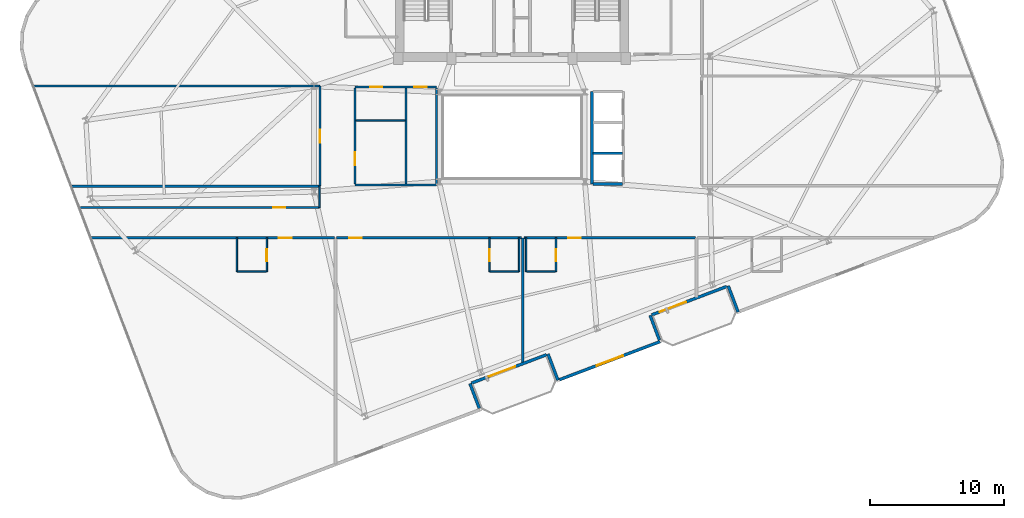
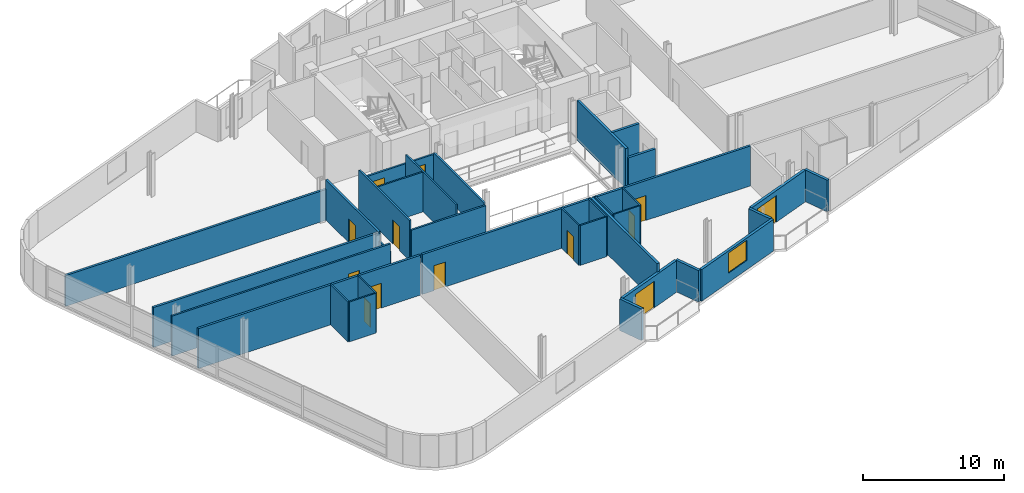
# One storey, part 14 of 19: 34 walls, 13 doors, 1 window, 14 openings.
"""IFC4 building model written with IfcOpenShell, lengths in metres."""

from ifc_helpers import new_model, si_unit, direction, frame, frame_2d, origin, place, context, subcontext, project, spatial, rectangle, extrude, material, layer, layer_set, type_object, element, fill, save


model = new_model("IFC4")

# Units and contexts
model_context = context("Model", 3, precision=1e-05, world=origin(), true_north=direction((0.0, 1.0)))
body_context = subcontext(model_context, "Body", "Model", "MODEL_VIEW")
ifc_project = project(units=[si_unit("LENGTHUNIT", "METRE"), si_unit("AREAUNIT", "SQUARE_METRE"), si_unit("VOLUMEUNIT", "CUBIC_METRE"), si_unit("PLANEANGLEUNIT", "RADIAN"), si_unit("MASSUNIT", "GRAM", prefix="KILO")], contexts=[model_context])

# Site, building, storey
site_placement = place(None, origin())
site = spatial("IfcSite", under=ifc_project, at=site_placement, CompositionType="ELEMENT")
building_placement = place(site_placement, origin())
building = spatial("IfcBuilding", under=site, at=building_placement, Name="Varnelok Gate Tower", CompositionType="ELEMENT")
storey_placement = place(building_placement, frame((0.0, 0.0, 246.0)))
storey = spatial("IfcBuildingStorey", under=building, at=storey_placement, Name="L63", CompositionType="ELEMENT", Elevation=246.0)

# Wall, opening, door
ifc_material_1 = material(Name="Concrete C45/55", Category="concrete")
ifc_layer_1 = layer(ifc_material_1, 0.219970703125)
ifc_layer_set_1 = layer_set([ifc_layer_1], Name="Concrete C45/55")
wall_type_1 = type_object("IfcWallType", Name="EW-BALC-220", PredefinedType="SOLIDWALL", material=ifc_layer_set_1)
wall_1_placement = place(storey_placement, frame((41.783203125, 6.6142578125, 0.0), z_axis=(0.0, 0.0, 1.0), x_axis=(-0.93521416643, -0.354082565101, 0.0)))
wall_1 = element("IfcWall", 1, at=wall_1_placement, inside=storey, type_object=wall_type_1, Name="L63 South Terrace Envelope Wall 1", PredefinedType="SOLIDWALL", context=body_context, shape_type="SweptSolid", body=[
    extrude(rectangle(XDim=6.0, YDim=0.219970703125, at=frame_2d((3.0, 0.0))), origin(), (0.0, 0.0, 1.0), 2.72998046875),
])
opening_1_placement = place(wall_1_placement, frame((2.508056640625, 0.0, 0.0)))
opening_1 = element("IfcOpeningElement", 2, at=opening_1_placement, cuts=wall_1, Name="Opening BD-2", PredefinedType="OPENING", context=body_context, shape_type="SweptSolid", body=[
    extrude(rectangle(XDim=2.10009765625, YDim=2.300048828125, at=frame_2d((1.050048828125, 1.14990234375))), frame((0.0, 0.119873046875, 0.0), z_axis=(0.0, -1.0, 0.0), x_axis=(1.0, 0.0, 0.0)), (0.0, 0.0, 1.0), 0.239990234375),
])
ifc_material_2 = material(Name="Anodized Aluminum Alloy 6063-T6", Category="aluminium")
door_type_1 = type_object("IfcDoorType", Name="DR-EXT-SLID2100", OperationType="SLIDING_TO_LEFT", PredefinedType="DOOR", material=ifc_material_2)
door_1_placement = place(opening_1_placement, origin())
door_1 = element("IfcDoor", 3, at=door_1_placement, inside=storey, type_object=door_type_1, Name="L63 South Balcony Glazed Door 1", OperationType="SLIDING_TO_LEFT", OverallHeight=2.300048828125, OverallWidth=2.10009765625, PredefinedType="DOOR", context=body_context, shape_type="SweptSolid", body=[
    extrude(rectangle(XDim=2.10009765625, YDim=2.300048828125, at=frame_2d((1.050048828125, 1.14990234375))), frame((0.0, 0.02490234375, 0.0), z_axis=(0.0, -1.0, 0.0), x_axis=(1.0, 0.0, 0.0)), (0.0, 0.0, 1.0), 0.050048828125),
])
fill(opening_1, door_1)

wall_2_placement = place(storey_placement, frame((55.25048828125, 11.712646484375, 0.0), z_axis=(0.0, 0.0, 1.0), x_axis=(-0.935227640088, -0.354046976001, 0.0)))
wall_2 = element("IfcWall", 4, at=wall_2_placement, inside=storey, type_object=wall_type_1, Name="L63 South Terrace Envelope Wall 2", PredefinedType="SOLIDWALL", context=body_context, shape_type="SweptSolid", body=[
    extrude(rectangle(XDim=6.0, YDim=0.219970703125, at=frame_2d((3.0, 0.0))), origin(), (0.0, 0.0, 1.0), 2.72998046875),
])
opening_2_placement = place(wall_2_placement, frame((3.252197265625, 0.0, 0.0)))
opening_2 = element("IfcOpeningElement", 5, at=opening_2_placement, cuts=wall_2, Name="Opening BD-2", PredefinedType="OPENING", context=body_context, shape_type="SweptSolid", body=[
    extrude(rectangle(XDim=2.10009765625, YDim=2.300048828125, at=frame_2d((1.050048828125, 1.14990234375))), frame((0.0, 0.119873046875, 0.0), z_axis=(0.0, -1.0, 0.0), x_axis=(1.0, 0.0, 0.0)), (0.0, 0.0, 1.0), 0.239990234375),
])
door_2_placement = place(opening_2_placement, origin())
door_2 = element("IfcDoor", 6, at=door_2_placement, inside=storey, type_object=door_type_1, Name="L63 South Balcony Glazed Door 2", OperationType="SLIDING_TO_LEFT", OverallHeight=2.300048828125, OverallWidth=2.10009765625, PredefinedType="DOOR", context=body_context, shape_type="SweptSolid", body=[
    extrude(rectangle(XDim=2.10009765625, YDim=2.300048828125, at=frame_2d((1.050048828125, 1.14990234375))), frame((0.0, 0.02490234375, 0.0), z_axis=(0.0, -1.0, 0.0), x_axis=(1.0, 0.0, 0.0)), (0.0, 0.0, 1.0), 0.050048828125),
])
fill(opening_2, door_2)

# Walls
wall_3_placement = place(storey_placement, frame((36.75537109375, 2.609619140625, 0.0), z_axis=(0.0, 0.0, 1.0), x_axis=(-0.354020680661, 0.935237594232, 0.0)))
element("IfcWall", 7, at=wall_3_placement, inside=storey, type_object=wall_type_1, Name="L63 Perimeter Facade Closure Wall 8", PredefinedType="SOLIDWALL", context=body_context, shape_type="SweptSolid", body=[
    extrude(rectangle(XDim=1.97509765625, YDim=0.219970703125, at=frame_2d((0.987548828125, 0.0))), origin(), (0.0, 0.0, 1.0), 2.72998046875),
])
wall_4_placement = place(storey_placement, frame((41.891845703125, 6.666015625, 0.0), z_axis=(0.0, 0.0, 1.0), x_axis=(0.354128469405, -0.935196785258, 0.0)))
element("IfcWall", 8, at=wall_4_placement, inside=storey, type_object=wall_type_1, Name="L63 Perimeter Facade Closure Wall 9", PredefinedType="SOLIDWALL", context=body_context, shape_type="SweptSolid", body=[
    extrude(rectangle(XDim=2.099853515625, YDim=0.219970703125, at=frame_2d((1.0498046875, 0.0))), origin(), (0.0, 0.0, 1.0), 2.72998046875),
])

# Wall, opening, window
wall_5_placement = place(storey_placement, frame((42.75244140625, 4.746337890625, 0.0), z_axis=(0.0, 0.0, 1.0), x_axis=(0.935216926991, 0.354075273733, 0.0)))
wall_5 = element("IfcWall", 9, at=wall_5_placement, inside=storey, type_object=wall_type_1, Name="L63 Perimeter Facade Closure Wall 10", PredefinedType="SOLIDWALL", context=body_context, shape_type="SweptSolid", body=[
    extrude(rectangle(XDim=8.034912109375, YDim=0.219970703125, at=frame_2d((4.017578125, 0.0))), origin(), (0.0, 0.0, 1.0), 2.72998046875),
])
opening_3_placement = place(wall_5_placement, frame((2.967529296875, 0.0, 0.800048828125)))
opening_3 = element("IfcOpeningElement", 10, at=opening_3_placement, cuts=wall_5, Name="Opening WN4", PredefinedType="OPENING", context=body_context, shape_type="SweptSolid", body=[
    extrude(rectangle(XDim=2.10009765625, YDim=1.75, at=frame_2d((1.050048828125, 0.875))), frame((0.0, 0.119873046875, 0.0), z_axis=(0.0, -1.0, 0.0), x_axis=(1.0, 0.0, 0.0)), (0.0, 0.0, 1.0), 0.239990234375),
])
ifc_material_3 = material(Name="Low-E Laminated Double Glazing IGU", Category="glass")
window_type = type_object("IfcWindowType", Name="WN-SUI-2100", PartitioningType="SINGLE_PANEL", PredefinedType="WINDOW", material=ifc_material_3)
window_placement = place(opening_3_placement, origin())
window = element("IfcWindow", 11, at=window_placement, inside=storey, type_object=window_type, Name="L63 Perimeter Vision Window 10", OverallHeight=1.75, OverallWidth=2.10009765625, PartitioningType="SINGLE_PANEL", PredefinedType="WINDOW", context=body_context, shape_type="SweptSolid", body=[
    extrude(rectangle(XDim=2.10009765625, YDim=1.75, at=frame_2d((1.050048828125, 0.875))), frame((0.0, 0.030029296875, 0.0), z_axis=(0.0, -1.0, 0.0), x_axis=(1.0, 0.0, 0.0)), (0.0, 0.0, 1.0), 0.06005859375),
])
fill(opening_3, window)

# Walls
wall_6_placement = place(storey_placement, frame((50.22265625, 7.7080078125, 0.0), z_axis=(0.0, 0.0, 1.0), x_axis=(-0.354020680661, 0.935237594232, 0.0)))
element("IfcWall", 12, at=wall_6_placement, inside=storey, type_object=wall_type_1, Name="L63 Perimeter Facade Closure Wall 11", PredefinedType="SOLIDWALL", context=body_context, shape_type="SweptSolid", body=[
    extrude(rectangle(XDim=1.97509765625, YDim=0.219970703125, at=frame_2d((0.987548828125, 0.0))), origin(), (0.0, 0.0, 1.0), 2.72998046875),
])
wall_7_placement = place(storey_placement, frame((55.359130859375, 11.764404296875, 0.0), z_axis=(0.0, 0.0, 1.0), x_axis=(0.354026782794, -0.935235284334, 0.0)))
element("IfcWall", 13, at=wall_7_placement, inside=storey, type_object=wall_type_1, Name="L63 Perimeter Facade Closure Wall 12", PredefinedType="SOLIDWALL", context=body_context, shape_type="SweptSolid", body=[
    extrude(rectangle(XDim=2.099853515625, YDim=0.219970703125, at=frame_2d((1.0498046875, 0.0))), origin(), (0.0, 0.0, 1.0), 2.72998046875),
])

# Wall, opening, door
ifc_material_4 = material(Name="Gypsum Plasterboard Acoustic Partition", Category="gypsum")
ifc_layer_2 = layer(ifc_material_4, 0.179931640625)
ifc_layer_set_2 = layer_set([ifc_layer_2], Name="Gypsum Plasterboard Acoustic Partition")
wall_type_2 = type_object("IfcWallType", Name="PW-CORR-180", PredefinedType="PARTITIONING", material=ifc_layer_set_2)
wall_8_placement = place(storey_placement, frame((7.763916015625, 15.35009765625, 0.0), z_axis=(0.0, 0.0, 1.0), x_axis=(1.0, 0.0, 0.0)))
wall_8 = element("IfcWall", 14, at=wall_8_placement, inside=storey, type_object=wall_type_2, Name="Interior Partition", PredefinedType="PARTITIONING", context=body_context, shape_type="SweptSolid", body=[
    extrude(rectangle(XDim=18.156005859375, YDim=0.179931640625, at=frame_2d((9.078125, 0.0))), origin(), (0.0, 0.0, 1.0), 3.449951171875),
])
opening_4_placement = place(wall_8_placement, frame((14.007080078125, 0.0, 0.0)))
opening_4 = element("IfcOpeningElement", 15, at=opening_4_placement, cuts=wall_8, Name="Opening D-HT", PredefinedType="OPENING", context=body_context, shape_type="SweptSolid", body=[
    extrude(rectangle(XDim=0.949951171875, YDim=2.14990234375, at=frame_2d((0.47509765625, 1.074951171875))), frame((0.0, 0.099853515625, 0.0), z_axis=(0.0, -1.0, 0.0), x_axis=(1.0, 0.0, 0.0)), (0.0, 0.0, 1.0), 0.199951171875),
])
ifc_material_5 = material(Name="Engineered Hardwood Timber", Category="wood")
door_type_2 = type_object("IfcDoorType", Name="DR-HTL-950", OperationType="NOTDEFINED", PredefinedType="DOOR", material=ifc_material_5)
door_3_placement = place(opening_4_placement, origin())
door_3 = element("IfcDoor", 16, at=door_3_placement, inside=storey, type_object=door_type_2, Name="L63 Guest Room 01 Entrance Door", OperationType="SINGLE_SWING_RIGHT", OverallHeight=2.14990234375, OverallWidth=0.949951171875, PredefinedType="DOOR", context=body_context, shape_type="SweptSolid", body=[
    extrude(rectangle(XDim=0.949951171875, YDim=2.14990234375, at=frame_2d((0.47509765625, 1.074951171875))), frame((0.0, 0.02490234375, 0.0), z_axis=(0.0, -1.0, 0.0), x_axis=(1.0, 0.0, 0.0)), (0.0, 0.0, 1.0), 0.050048828125),
])
fill(opening_4, door_3)

wall_9_placement = place(storey_placement, frame((26.080078125, 15.35009765625, 0.0), z_axis=(0.0, 0.0, 1.0), x_axis=(1.0, 0.0, 0.0)))
wall_9 = element("IfcWall", 17, at=wall_9_placement, inside=storey, type_object=wall_type_2, Name="Interior Partition", PredefinedType="PARTITIONING", context=body_context, shape_type="SweptSolid", body=[
    extrude(rectangle(XDim=13.83984375, YDim=0.179931640625, at=frame_2d((6.919921875, 0.0))), origin(), (0.0, 0.0, 1.0), 3.449951171875),
])
opening_5_placement = place(wall_9_placement, frame((0.938720703125, 0.0, 0.0)))
opening_5 = element("IfcOpeningElement", 18, at=opening_5_placement, cuts=wall_9, Name="Opening D-HT", PredefinedType="OPENING", context=body_context, shape_type="SweptSolid", body=[
    extrude(rectangle(XDim=0.949951171875, YDim=2.14990234375, at=frame_2d((0.47509765625, 1.074951171875))), frame((0.0, 0.099853515625, 0.0), z_axis=(0.0, -1.0, 0.0), x_axis=(1.0, 0.0, 0.0)), (0.0, 0.0, 1.0), 0.199951171875),
])
door_4_placement = place(opening_5_placement, origin())
door_4 = element("IfcDoor", 19, at=door_4_placement, inside=storey, type_object=door_type_2, Name="L63 Guest Room 02 Entrance Door", OperationType="SINGLE_SWING_LEFT", OverallHeight=2.14990234375, OverallWidth=0.949951171875, PredefinedType="DOOR", context=body_context, shape_type="SweptSolid", body=[
    extrude(rectangle(XDim=0.949951171875, YDim=2.14990234375, at=frame_2d((0.47509765625, 1.074951171875))), frame((0.0, 0.02490234375, 0.0), z_axis=(0.0, -1.0, 0.0), x_axis=(1.0, 0.0, 0.0)), (0.0, 0.0, 1.0), 0.050048828125),
])
fill(opening_5, door_4)

wall_10_placement = place(storey_placement, frame((40.080078125, 15.35009765625, 0.0), z_axis=(0.0, 0.0, 1.0), x_axis=(1.0, 0.0, 0.0)))
wall_10 = element("IfcWall", 20, at=wall_10_placement, inside=storey, type_object=wall_type_2, Name="Interior Partition", PredefinedType="PARTITIONING", context=body_context, shape_type="SweptSolid", body=[
    extrude(rectangle(XDim=12.83984375, YDim=0.179931640625, at=frame_2d((6.419921875, 0.0))), origin(), (0.0, 0.0, 1.0), 3.449951171875),
])
opening_6_placement = place(wall_10_placement, frame((3.320556640625, 0.0, 0.0)))
opening_6 = element("IfcOpeningElement", 21, at=opening_6_placement, cuts=wall_10, Name="Opening D-HT", PredefinedType="OPENING", context=body_context, shape_type="SweptSolid", body=[
    extrude(rectangle(XDim=0.949951171875, YDim=2.14990234375, at=frame_2d((0.47509765625, 1.074951171875))), frame((0.0, 0.099853515625, 0.0), z_axis=(0.0, -1.0, 0.0), x_axis=(1.0, 0.0, 0.0)), (0.0, 0.0, 1.0), 0.199951171875),
])
door_5_placement = place(opening_6_placement, origin())
door_5 = element("IfcDoor", 22, at=door_5_placement, inside=storey, type_object=door_type_2, Name="L63 Guest Room 03 Entrance Door", OperationType="SINGLE_SWING_RIGHT", OverallHeight=2.14990234375, OverallWidth=0.949951171875, PredefinedType="DOOR", context=body_context, shape_type="SweptSolid", body=[
    extrude(rectangle(XDim=0.949951171875, YDim=2.14990234375, at=frame_2d((0.47509765625, 1.074951171875))), frame((0.0, 0.02490234375, 0.0), z_axis=(0.0, -1.0, 0.0), x_axis=(1.0, 0.0, 0.0)), (0.0, 0.0, 1.0), 0.050048828125),
])
fill(opening_6, door_5)

wall_11_placement = place(storey_placement, frame((24.85009765625, 19.239990234375, 0.0), z_axis=(0.0, 0.0, 1.0), x_axis=(0.0, 1.0, 0.0)))
wall_11 = element("IfcWall", 23, at=wall_11_placement, inside=storey, type_object=wall_type_2, Name="Interior Partition", PredefinedType="PARTITIONING", context=body_context, shape_type="SweptSolid", body=[
    extrude(rectangle(XDim=7.4599609375, YDim=0.179931640625, at=frame_2d((3.72998046875, 0.0))), origin(), (0.0, 0.0, 1.0), 3.449951171875),
])
opening_7_placement = place(wall_11_placement, frame((3.235107421875, 0.0, 0.0)))
opening_7 = element("IfcOpeningElement", 24, at=opening_7_placement, cuts=wall_11, Name="Opening D-I2", PredefinedType="OPENING", context=body_context, shape_type="SweptSolid", body=[
    extrude(rectangle(XDim=0.949951171875, YDim=2.050048828125, at=frame_2d((0.47509765625, 1.02490234375))), frame((0.0, 0.099853515625, 0.0), z_axis=(0.0, -1.0, 0.0), x_axis=(1.0, 0.0, 0.0)), (0.0, 0.0, 1.0), 0.199951171875),
])
door_type_3 = type_object("IfcDoorType", Name="DR-INT-950", OperationType="NOTDEFINED", PredefinedType="DOOR", material=ifc_material_5)
door_6_placement = place(opening_7_placement, origin())
door_6 = element("IfcDoor", 25, at=door_6_placement, inside=storey, type_object=door_type_3, Name="L63 West Flank Room Door", OperationType="SINGLE_SWING_LEFT", OverallHeight=2.050048828125, OverallWidth=0.949951171875, PredefinedType="DOOR", context=body_context, shape_type="SweptSolid", body=[
    extrude(rectangle(XDim=0.949951171875, YDim=2.050048828125, at=frame_2d((0.47509765625, 1.02490234375))), frame((0.0, 0.02490234375, 0.0), z_axis=(0.0, -1.0, 0.0), x_axis=(1.0, 0.0, 0.0)), (0.0, 0.0, 1.0), 0.050048828125),
])
fill(opening_7, door_6)

# Walls
wall_12_placement = place(storey_placement, frame((6.306396484375, 19.199951171875, 0.0), z_axis=(0.0, 0.0, 1.0), x_axis=(1.0, 0.0, 0.0)))
element("IfcWall", 26, at=wall_12_placement, inside=storey, type_object=wall_type_2, Name="Interior Partition", PredefinedType="PARTITIONING", context=body_context, shape_type="SweptSolid", body=[
    extrude(rectangle(XDim=18.543701171875, YDim=0.179931640625, at=frame_2d((9.27197265625, 0.0))), origin(), (0.0, 0.0, 1.0), 3.449951171875),
])
wall_13_placement = place(storey_placement, frame((3.467041015625, 26.699951171875, 0.0), z_axis=(0.0, 0.0, 1.0), x_axis=(1.0, 0.0, 0.0)))
element("IfcWall", 27, at=wall_13_placement, inside=storey, type_object=wall_type_2, Name="Interior Partition", PredefinedType="PARTITIONING", context=body_context, shape_type="SweptSolid", body=[
    extrude(rectangle(XDim=21.383056640625, YDim=0.179931640625, at=frame_2d((10.69140625, 0.0))), origin(), (0.0, 0.0, 1.0), 2.662109375),
])
ifc_layer_3 = layer(ifc_material_4, 0.114990234375)
ifc_layer_set_3 = layer_set([ifc_layer_3], Name="Gypsum Plasterboard Acoustic Partition")
wall_type_3 = type_object("IfcWallType", Name="PW-ENS-125", PredefinedType="PARTITIONING", material=ifc_layer_set_3)
wall_14_placement = place(storey_placement, frame((18.679931640625, 12.830078125, 0.0), z_axis=(0.0, 0.0, 1.0), x_axis=(1.0, 0.0, 0.0)))
element("IfcWall", 28, at=wall_14_placement, inside=storey, type_object=wall_type_3, Name="Interior Partition", PredefinedType="PARTITIONING", context=body_context, shape_type="SweptSolid", body=[
    extrude(rectangle(XDim=2.150146484375, YDim=0.114990234375, at=frame_2d((1.0751953125, 0.0))), origin(), (0.0, 0.0, 1.0), 3.449951171875),
])

# Wall, opening, door
wall_15_placement = place(storey_placement, frame((20.8701171875, 12.830078125, 0.0), z_axis=(0.0, 0.0, 1.0), x_axis=(0.0, 1.0, 0.0)))
wall_15 = element("IfcWall", 29, at=wall_15_placement, inside=storey, type_object=wall_type_3, Name="Interior Partition", PredefinedType="PARTITIONING", context=body_context, shape_type="SweptSolid", body=[
    extrude(rectangle(XDim=2.52001953125, YDim=0.114990234375, at=frame_2d((1.260009765625, 0.0))), origin(), (0.0, 0.0, 1.0), 3.449951171875),
])
opening_8_placement = place(wall_15_placement, frame((0.760009765625, 0.0, 0.0)))
opening_8 = element("IfcOpeningElement", 30, at=opening_8_placement, cuts=wall_15, Name="Opening D-WC", PredefinedType="OPENING", context=body_context, shape_type="SweptSolid", body=[
    extrude(rectangle(XDim=0.89990234375, YDim=2.050048828125, at=frame_2d((0.449951171875, 1.02490234375))), frame((0.0, 0.0673828125, 0.0), z_axis=(0.0, -1.0, 0.0), x_axis=(1.0, 0.0, 0.0)), (0.0, 0.0, 1.0), 0.135009765625),
])
door_type_4 = type_object("IfcDoorType", Name="DR-BATH-900", OperationType="NOTDEFINED", PredefinedType="DOOR", material=ifc_material_5)
door_7_placement = place(opening_8_placement, origin())
door_7 = element("IfcDoor", 31, at=door_7_placement, inside=storey, type_object=door_type_4, Name="L63 Guest En-Suite 01 Door", OperationType="SINGLE_SWING_LEFT", OverallHeight=2.050048828125, OverallWidth=0.89990234375, PredefinedType="DOOR", context=body_context, shape_type="SweptSolid", body=[
    extrude(rectangle(XDim=0.89990234375, YDim=2.050048828125, at=frame_2d((0.449951171875, 1.02490234375))), frame((0.0, 0.02490234375, 0.0), z_axis=(0.0, -1.0, 0.0), x_axis=(1.0, 0.0, 0.0)), (0.0, 0.0, 1.0), 0.050048828125),
])
fill(opening_8, door_7)

# Walls
wall_16_placement = place(storey_placement, frame((18.639892578125, 12.830078125, 0.0), z_axis=(0.0, 0.0, 1.0), x_axis=(0.0, 1.0, 0.0)))
element("IfcWall", 32, at=wall_16_placement, inside=storey, type_object=wall_type_3, Name="Interior Partition", PredefinedType="PARTITIONING", context=body_context, shape_type="SweptSolid", body=[
    extrude(rectangle(XDim=2.52001953125, YDim=0.114990234375, at=frame_2d((1.260009765625, 0.0))), origin(), (0.0, 0.0, 1.0), 3.449951171875),
])
wall_17_placement = place(storey_placement, frame((37.550048828125, 12.830078125, 0.0), z_axis=(0.0, 0.0, 1.0), x_axis=(1.0, 0.0, 0.0)))
element("IfcWall", 33, at=wall_17_placement, inside=storey, type_object=wall_type_3, Name="Interior Partition", PredefinedType="PARTITIONING", context=body_context, shape_type="SweptSolid", body=[
    extrude(rectangle(XDim=2.14990234375, YDim=0.114990234375, at=frame_2d((1.074951171875, 0.0))), origin(), (0.0, 0.0, 1.0), 3.449951171875),
])

# Wall, opening, door
wall_18_placement = place(storey_placement, frame((37.510009765625, 12.830078125, 0.0), z_axis=(0.0, 0.0, 1.0), x_axis=(0.0, 1.0, 0.0)))
wall_18 = element("IfcWall", 34, at=wall_18_placement, inside=storey, type_object=wall_type_3, Name="Interior Partition", PredefinedType="PARTITIONING", context=body_context, shape_type="SweptSolid", body=[
    extrude(rectangle(XDim=2.52001953125, YDim=0.114990234375, at=frame_2d((1.260009765625, 0.0))), origin(), (0.0, 0.0, 1.0), 3.449951171875),
])
opening_9_placement = place(wall_18_placement, frame((0.760009765625, 0.0, 0.0)))
opening_9 = element("IfcOpeningElement", 35, at=opening_9_placement, cuts=wall_18, Name="Opening D-WC", PredefinedType="OPENING", context=body_context, shape_type="SweptSolid", body=[
    extrude(rectangle(XDim=0.89990234375, YDim=2.050048828125, at=frame_2d((0.449951171875, 1.02490234375))), frame((0.0, 0.0673828125, 0.0), z_axis=(0.0, -1.0, 0.0), x_axis=(1.0, 0.0, 0.0)), (0.0, 0.0, 1.0), 0.135009765625),
])
door_8_placement = place(opening_9_placement, origin())
door_8 = element("IfcDoor", 36, at=door_8_placement, inside=storey, type_object=door_type_4, Name="L63 Guest En-Suite 02 Door", OperationType="SINGLE_SWING_RIGHT", OverallHeight=2.050048828125, OverallWidth=0.89990234375, PredefinedType="DOOR", context=body_context, shape_type="SweptSolid", body=[
    extrude(rectangle(XDim=0.89990234375, YDim=2.050048828125, at=frame_2d((0.449951171875, 1.02490234375))), frame((0.0, 0.02490234375, 0.0), z_axis=(0.0, -1.0, 0.0), x_axis=(1.0, 0.0, 0.0)), (0.0, 0.0, 1.0), 0.050048828125),
])
fill(opening_9, door_8)

# Walls
wall_19_placement = place(storey_placement, frame((39.739990234375, 12.830078125, 0.0), z_axis=(0.0, 0.0, 1.0), x_axis=(0.0, 1.0, 0.0)))
element("IfcWall", 37, at=wall_19_placement, inside=storey, type_object=wall_type_3, Name="Interior Partition", PredefinedType="PARTITIONING", context=body_context, shape_type="SweptSolid", body=[
    extrude(rectangle(XDim=2.52001953125, YDim=0.114990234375, at=frame_2d((1.260009765625, 0.0))), origin(), (0.0, 0.0, 1.0), 3.449951171875),
])
wall_20_placement = place(storey_placement, frame((40.300048828125, 12.830078125, 0.0), z_axis=(0.0, 0.0, 1.0), x_axis=(1.0, 0.0, 0.0)))
element("IfcWall", 38, at=wall_20_placement, inside=storey, type_object=wall_type_3, Name="Interior Partition", PredefinedType="PARTITIONING", context=body_context, shape_type="SweptSolid", body=[
    extrude(rectangle(XDim=2.14990234375, YDim=0.114990234375, at=frame_2d((1.074951171875, 0.0))), origin(), (0.0, 0.0, 1.0), 3.449951171875),
])

# Wall, opening, door
wall_21_placement = place(storey_placement, frame((42.489990234375, 12.830078125, 0.0), z_axis=(0.0, 0.0, 1.0), x_axis=(0.0, 1.0, 0.0)))
wall_21 = element("IfcWall", 39, at=wall_21_placement, inside=storey, type_object=wall_type_3, Name="Interior Partition", PredefinedType="PARTITIONING", context=body_context, shape_type="SweptSolid", body=[
    extrude(rectangle(XDim=2.52001953125, YDim=0.114990234375, at=frame_2d((1.260009765625, 0.0))), origin(), (0.0, 0.0, 1.0), 3.449951171875),
])
opening_10_placement = place(wall_21_placement, frame((0.760009765625, 0.0, 0.0)))
opening_10 = element("IfcOpeningElement", 40, at=opening_10_placement, cuts=wall_21, Name="Opening D-WC", PredefinedType="OPENING", context=body_context, shape_type="SweptSolid", body=[
    extrude(rectangle(XDim=0.89990234375, YDim=2.050048828125, at=frame_2d((0.449951171875, 1.02490234375))), frame((0.0, 0.0673828125, 0.0), z_axis=(0.0, -1.0, 0.0), x_axis=(1.0, 0.0, 0.0)), (0.0, 0.0, 1.0), 0.135009765625),
])
door_9_placement = place(opening_10_placement, origin())
door_9 = element("IfcDoor", 41, at=door_9_placement, inside=storey, type_object=door_type_4, Name="L63 Guest En-Suite 03 Door", OperationType="SINGLE_SWING_LEFT", OverallHeight=2.050048828125, OverallWidth=0.89990234375, PredefinedType="DOOR", context=body_context, shape_type="SweptSolid", body=[
    extrude(rectangle(XDim=0.89990234375, YDim=2.050048828125, at=frame_2d((0.449951171875, 1.02490234375))), frame((0.0, 0.02490234375, 0.0), z_axis=(0.0, -1.0, 0.0), x_axis=(1.0, 0.0, 0.0)), (0.0, 0.0, 1.0), 0.050048828125),
])
fill(opening_10, door_9)

# Walls
wall_22_placement = place(storey_placement, frame((40.260009765625, 12.830078125, 0.0), z_axis=(0.0, 0.0, 1.0), x_axis=(0.0, 1.0, 0.0)))
element("IfcWall", 42, at=wall_22_placement, inside=storey, type_object=wall_type_3, Name="Interior Partition", PredefinedType="PARTITIONING", context=body_context, shape_type="SweptSolid", body=[
    extrude(rectangle(XDim=2.52001953125, YDim=0.114990234375, at=frame_2d((1.260009765625, 0.0))), origin(), (0.0, 0.0, 1.0), 3.449951171875),
])
ifc_layer_4 = layer(ifc_material_4, 0.125)
ifc_layer_set_4 = layer_set([ifc_layer_4], Name="Gypsum Plasterboard Acoustic Partition")
wall_type_4 = type_object("IfcWallType", Name="PW-PART-125", PredefinedType="PARTITIONING", material=ifc_layer_set_4)
wall_23_placement = place(storey_placement, frame((24.800048828125, 17.610107421875, 0.0), z_axis=(0.0, 0.0, 1.0), x_axis=(0.0, 1.0, 0.0)))
element("IfcWall", 43, at=wall_23_placement, inside=storey, type_object=wall_type_4, Name="Interior Partition", PredefinedType="PARTITIONING", context=body_context, shape_type="SweptSolid", body=[
    extrude(rectangle(XDim=1.6298828125, YDim=0.125, at=frame_2d((0.81494140625, 0.0))), origin(), (0.0, 0.0, 1.0), 2.739013671875),
])
wall_24_placement = place(storey_placement, frame((31.280029296875, 19.3798828125, 0.0), z_axis=(0.0, 0.0, 1.0), x_axis=(0.0, 1.0, 0.0)))
element("IfcWall", 44, at=wall_24_placement, inside=storey, type_object=wall_type_4, Name="Interior Partition", PredefinedType="PARTITIONING", context=body_context, shape_type="SweptSolid", body=[
    extrude(rectangle(XDim=7.16015625, YDim=0.125, at=frame_2d((3.580078125, 0.0))), origin(), (0.0, 0.0, 1.0), 3.449951171875),
])
wall_25_placement = place(storey_placement, frame((27.52001953125, 24.1298828125, 0.0), z_axis=(0.0, 0.0, 1.0), x_axis=(1.0, 0.0, 0.0)))
element("IfcWall", 45, at=wall_25_placement, inside=storey, type_object=wall_type_4, Name="Interior Partition", PredefinedType="PARTITIONING", context=body_context, shape_type="SweptSolid", body=[
    extrude(rectangle(XDim=3.699951171875, YDim=0.125, at=frame_2d((1.85009765625, 0.0))), origin(), (0.0, 0.0, 1.0), 3.449951171875),
])

# Wall, opening, door
ifc_layer_5 = layer(ifc_material_4, 0.14990234375)
ifc_layer_set_5 = layer_set([ifc_layer_5], Name="Gypsum Plasterboard Acoustic Partition")
wall_type_5 = type_object("IfcWallType", Name="PW-PART-150", PredefinedType="PARTITIONING", material=ifc_layer_set_5)
wall_26_placement = place(storey_placement, frame((6.908447265625, 17.610107421875, 0.0), z_axis=(0.0, 0.0, 1.0), x_axis=(1.0, 0.0, 0.0)))
wall_26 = element("IfcWall", 46, at=wall_26_placement, inside=storey, type_object=wall_type_5, Name="Interior Partition", PredefinedType="PARTITIONING", context=body_context, shape_type="SweptSolid", body=[
    extrude(rectangle(XDim=17.8916015625, YDim=0.14990234375, at=frame_2d((8.94580078125, 0.0))), origin(), (0.0, 0.0, 1.0), 3.449951171875),
])
opening_11_placement = place(wall_26_placement, frame((14.426513671875, 0.0, 0.0)))
opening_11 = element("IfcOpeningElement", 47, at=opening_11_placement, cuts=wall_26, Name="Opening D-I3", PredefinedType="OPENING", context=body_context, shape_type="SweptSolid", body=[
    extrude(rectangle(XDim=0.919921875, YDim=2.050048828125, at=frame_2d((0.4599609375, 1.02490234375))), frame((0.0, 0.0849609375, 0.0), z_axis=(0.0, -1.0, 0.0), x_axis=(1.0, 0.0, 0.0)), (0.0, 0.0, 1.0), 0.169921875),
])
door_type_5 = type_object("IfcDoorType", Name="DR-INT-920", OperationType="NOTDEFINED", PredefinedType="DOOR", material=ifc_material_5)
door_10_placement = place(opening_11_placement, origin())
door_10 = element("IfcDoor", 48, at=door_10_placement, inside=storey, type_object=door_type_5, Name="L63 Atrium Room 1 Door", OperationType="SINGLE_SWING_LEFT", OverallHeight=2.050048828125, OverallWidth=0.919921875, PredefinedType="DOOR", context=body_context, shape_type="SweptSolid", body=[
    extrude(rectangle(XDim=0.919921875, YDim=2.050048828125, at=frame_2d((0.4599609375, 1.02490234375))), frame((0.0, 0.02490234375, 0.0), z_axis=(0.0, -1.0, 0.0), x_axis=(1.0, 0.0, 0.0)), (0.0, 0.0, 1.0), 0.050048828125),
])
fill(opening_11, door_10)

# Wall
wall_27_placement = place(storey_placement, frame((27.4599609375, 19.300048828125, 0.0), z_axis=(0.0, 0.0, 1.0), x_axis=(1.0, 0.0, 0.0)))
element("IfcWall", 49, at=wall_27_placement, inside=storey, type_object=wall_type_5, Name="Interior Partition", PredefinedType="PARTITIONING", context=body_context, shape_type="SweptSolid", body=[
    extrude(rectangle(XDim=6.10009765625, YDim=0.14990234375, at=frame_2d((3.050048828125, 0.0))), origin(), (0.0, 0.0, 1.0), 2.662109375),
])

# Wall, openings, doors
wall_28_placement = place(storey_placement, frame((27.4599609375, 26.6201171875, 0.0), z_axis=(0.0, 0.0, 1.0), x_axis=(1.0, 0.0, 0.0)))
wall_28 = element("IfcWall", 50, at=wall_28_placement, inside=storey, type_object=wall_type_5, Name="Interior Partition", PredefinedType="PARTITIONING", context=body_context, shape_type="SweptSolid", body=[
    extrude(rectangle(XDim=6.10009765625, YDim=0.14990234375, at=frame_2d((3.050048828125, 0.0))), origin(), (0.0, 0.0, 1.0), 2.662109375),
])
opening_12_placement = place(wall_28_placement, frame((1.14990234375, 0.0, 0.0)))
opening_12 = element("IfcOpeningElement", 51, at=opening_12_placement, cuts=wall_28, Name="Opening D-WC", PredefinedType="OPENING", context=body_context, shape_type="SweptSolid", body=[
    extrude(rectangle(XDim=0.89990234375, YDim=2.050048828125, at=frame_2d((0.449951171875, 1.02490234375))), frame((0.0, 0.0849609375, 0.0), z_axis=(0.0, -1.0, 0.0), x_axis=(1.0, 0.0, 0.0)), (0.0, 0.0, 1.0), 0.169921875),
])
opening_13_placement = place(wall_28_placement, frame((4.449951171875, 0.0, 0.0)))
opening_13 = element("IfcOpeningElement", 52, at=opening_13_placement, cuts=wall_28, Name="Opening D-I3", PredefinedType="OPENING", context=body_context, shape_type="SweptSolid", body=[
    extrude(rectangle(XDim=0.919921875, YDim=2.050048828125, at=frame_2d((0.4599609375, 1.02490234375))), frame((0.0, 0.0849609375, 0.0), z_axis=(0.0, -1.0, 0.0), x_axis=(1.0, 0.0, 0.0)), (0.0, 0.0, 1.0), 0.169921875),
])
door_11_placement = place(opening_12_placement, origin())
door_11 = element("IfcDoor", 53, at=door_11_placement, inside=storey, type_object=door_type_4, Name="L63 Accessible Floor WC Door", OperationType="SINGLE_SWING_LEFT", OverallHeight=2.050048828125, OverallWidth=0.89990234375, PredefinedType="DOOR", context=body_context, shape_type="SweptSolid", body=[
    extrude(rectangle(XDim=0.89990234375, YDim=2.050048828125, at=frame_2d((0.449951171875, 1.02490234375))), frame((0.0, 0.02490234375, 0.0), z_axis=(0.0, -1.0, 0.0), x_axis=(1.0, 0.0, 0.0)), (0.0, 0.0, 1.0), 0.050048828125),
])
fill(opening_12, door_11)
door_12_placement = place(opening_13_placement, origin())
door_12 = element("IfcDoor", 54, at=door_12_placement, inside=storey, type_object=door_type_5, Name="L63 Valet Pantry Door", OperationType="SINGLE_SWING_RIGHT", OverallHeight=2.050048828125, OverallWidth=0.919921875, PredefinedType="DOOR", context=body_context, shape_type="SweptSolid", body=[
    extrude(rectangle(XDim=0.919921875, YDim=2.050048828125, at=frame_2d((0.4599609375, 1.02490234375))), frame((0.0, 0.02490234375, 0.0), z_axis=(0.0, -1.0, 0.0), x_axis=(1.0, 0.0, 0.0)), (0.0, 0.0, 1.0), 0.050048828125),
])
fill(opening_13, door_12)

# Wall, opening, door
wall_29_placement = place(storey_placement, frame((27.4599609375, 19.3798828125, 0.0), z_axis=(0.0, 0.0, 1.0), x_axis=(0.0, 1.0, 0.0)))
wall_29 = element("IfcWall", 55, at=wall_29_placement, inside=storey, type_object=wall_type_5, Name="Interior Partition", PredefinedType="PARTITIONING", context=body_context, shape_type="SweptSolid", body=[
    extrude(rectangle(XDim=7.16015625, YDim=0.14990234375, at=frame_2d((3.580078125, 0.0))), origin(), (0.0, 0.0, 1.0), 3.449951171875),
])
opening_14_placement = place(wall_29_placement, frame((1.39990234375, 0.0, 0.0)))
opening_14 = element("IfcOpeningElement", 56, at=opening_14_placement, cuts=wall_29, Name="Opening D-I2", PredefinedType="OPENING", context=body_context, shape_type="SweptSolid", body=[
    extrude(rectangle(XDim=0.949951171875, YDim=2.050048828125, at=frame_2d((0.47509765625, 1.02490234375))), frame((0.0, 0.0849609375, 0.0), z_axis=(0.0, -1.0, 0.0), x_axis=(1.0, 0.0, 0.0)), (0.0, 0.0, 1.0), 0.169921875),
])
door_13_placement = place(opening_14_placement, origin())
door_13 = element("IfcDoor", 57, at=door_13_placement, inside=storey, type_object=door_type_3, Name="L63 Hotel Business Center Door", OperationType="SINGLE_SWING_LEFT", OverallHeight=2.050048828125, OverallWidth=0.949951171875, PredefinedType="DOOR", context=body_context, shape_type="SweptSolid", body=[
    extrude(rectangle(XDim=0.949951171875, YDim=2.050048828125, at=frame_2d((0.47509765625, 1.02490234375))), frame((0.0, 0.02490234375, 0.0), z_axis=(0.0, -1.0, 0.0), x_axis=(1.0, 0.0, 0.0)), (0.0, 0.0, 1.0), 0.050048828125),
])
fill(opening_14, door_13)

# Walls
wall_30_placement = place(storey_placement, frame((33.56005859375, 19.3798828125, 0.0), z_axis=(0.0, 0.0, 1.0), x_axis=(0.0, 1.0, 0.0)))
element("IfcWall", 58, at=wall_30_placement, inside=storey, type_object=wall_type_5, Name="Interior Partition", PredefinedType="PARTITIONING", context=body_context, shape_type="SweptSolid", body=[
    extrude(rectangle(XDim=7.16015625, YDim=0.14990234375, at=frame_2d((3.580078125, 0.0))), origin(), (0.0, 0.0, 1.0), 2.823974609375),
])
ifc_layer_6 = layer(ifc_material_4, 0.205078125)
ifc_layer_set_6 = layer_set([ifc_layer_6], Name="Gypsum Plasterboard Acoustic Partition")
wall_type_6 = type_object("IfcWallType", Name="PW-PARTY-200", PredefinedType="PARTITIONING", material=ifc_layer_set_6)
wall_31_placement = place(storey_placement, frame((40.0, 5.97119140625, 0.0), z_axis=(0.0, 0.0, 1.0), x_axis=(0.0, 1.0, 0.0)))
element("IfcWall", 59, at=wall_31_placement, inside=storey, type_object=wall_type_6, Name="L63 South Party Wall 2", PredefinedType="PARTITIONING", context=body_context, shape_type="SweptSolid", body=[
    extrude(rectangle(XDim=9.37890625, YDim=0.205078125, at=frame_2d((4.689453125, 0.0))), origin(), (0.0, 0.0, 1.0), 3.449951171875),
])
ifc_material_6 = material(Name="Concrete C35/45", Category="concrete")
ifc_layer_7 = layer(ifc_material_6, 0.199951171875)
ifc_layer_set_7 = layer_set([ifc_layer_7], Name="Concrete C35/45")
wall_type_7 = type_object("IfcWallType", Name="PW-SHAFT-200", PredefinedType="PARTITIONING", material=ifc_layer_set_7)
wall_32_placement = place(storey_placement, frame((45.239990234375, 21.675048828125, 0.0), z_axis=(0.0, 0.0, 1.0), x_axis=(1.0, 0.0, 0.0)))
element("IfcWall", 60, at=wall_32_placement, inside=storey, type_object=wall_type_7, Name="L63 PH1 Divider", PredefinedType="PARTITIONING", context=body_context, shape_type="SweptSolid", body=[
    extrude(rectangle(XDim=2.219970703125, YDim=0.199951171875, at=frame_2d((1.10986328125, 0.0))), origin(), (0.0, 0.0, 1.0), 3.449951171875),
])
wall_33_placement = place(storey_placement, frame((45.239990234375, 19.3798828125, 0.0), z_axis=(0.0, 0.0, 1.0), x_axis=(1.0, 0.0, 0.0)))
element("IfcWall", 61, at=wall_33_placement, inside=storey, type_object=wall_type_7, Name="L63 PH Bank South Wall", PredefinedType="PARTITIONING", context=body_context, shape_type="SweptSolid", body=[
    extrude(rectangle(XDim=2.219970703125, YDim=0.199951171875, at=frame_2d((1.10986328125, 0.0))), origin(), (0.0, 0.0, 1.0), 2.662109375),
])
wall_34_placement = place(storey_placement, frame((45.179931640625, 19.3798828125, 0.0), z_axis=(0.0, 0.0, 1.0), x_axis=(0.0, 1.0, 0.0)))
element("IfcWall", 62, at=wall_34_placement, inside=storey, type_object=wall_type_7, Name="L63 PH Bank Atrium Wall", PredefinedType="PARTITIONING", context=body_context, shape_type="SweptSolid", body=[
    extrude(rectangle(XDim=6.900146484375, YDim=0.199951171875, at=frame_2d((3.4501953125, 0.0))), origin(), (0.0, 0.0, 1.0), 3.449951171875),
])

save(model, "model.ifc")
